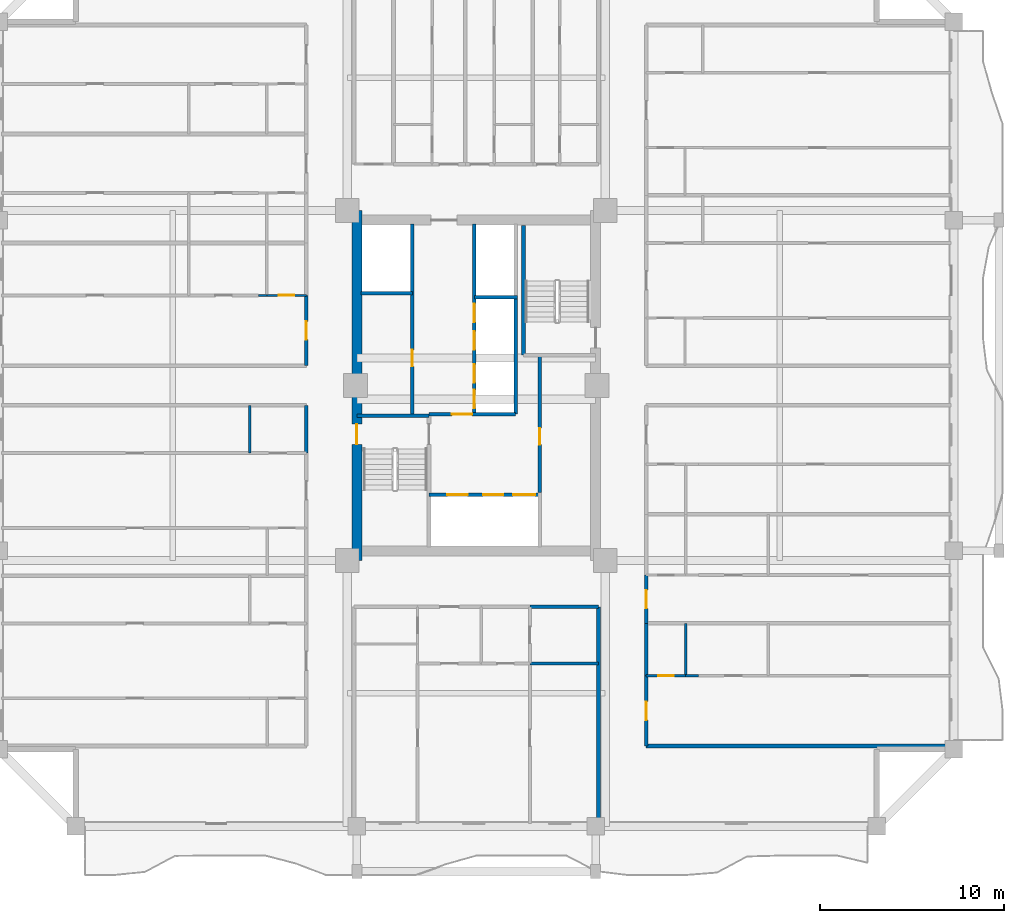
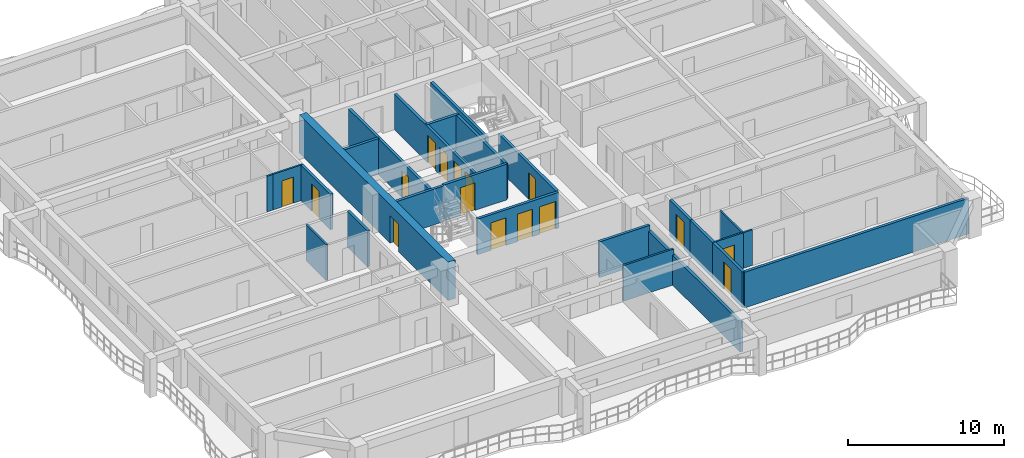
# One storey, part 4 of 14: 26 walls, 16 doors, 16 openings.
"""IFC4 building model written with IfcOpenShell, lengths in metres."""

from ifc_helpers import new_model, si_unit, direction, frame, frame_2d, origin, place, context, subcontext, project, spatial, rectangle, extrude, source, transform, mapped, material, layer, layer_set, type_object, element, fill, save


model = new_model("IFC4")

# Units and contexts
model_context = context("Model", 3, precision=1e-05, world=origin(), true_north=direction((0.0, 1.0)))
body_context = subcontext(model_context, "Body", "Model", "MODEL_VIEW")
ifc_project = project(units=[si_unit("LENGTHUNIT", "METRE"), si_unit("AREAUNIT", "SQUARE_METRE"), si_unit("VOLUMEUNIT", "CUBIC_METRE"), si_unit("PLANEANGLEUNIT", "RADIAN"), si_unit("MASSUNIT", "GRAM", prefix="KILO")], contexts=[model_context])

# Site, building, storey
site_placement = place(None, origin())
site = spatial("IfcSite", under=ifc_project, at=site_placement, CompositionType="ELEMENT")
building_placement = place(site_placement, origin())
building = spatial("IfcBuilding", under=site, at=building_placement, Name="Saelheon Loggia Tower", CompositionType="ELEMENT")
storey_placement = place(building_placement, frame((0.0, 0.0, 119.85009765625)))
storey = spatial("IfcBuildingStorey", under=building, at=storey_placement, Name="L38", CompositionType="ELEMENT", Elevation=119.85009765625)

# Wall, opening, door
ifc_material_1 = material(Name="Concrete C50/60", Category="concrete")
ifc_layer_1 = layer(ifc_material_1, 0.550048828125)
ifc_layer_set_1 = layer_set([ifc_layer_1], Name="Concrete C50/60")
wall_type_1 = type_object("IfcWallType", Name="Wall_CoreShear_550", PredefinedType="SHEAR", material=ifc_layer_set_1)
wall_1_placement = place(storey_placement, frame((31.5, 17.47998046875, 0.0), z_axis=(0.0, 0.0, 1.0), x_axis=(0.0, 1.0, 0.0)))
wall_1 = element("IfcWall", 1, at=wall_1_placement, inside=storey, type_object=wall_type_1, Name="L38 Core Shear Wall West", PredefinedType="SHEAR", context=body_context, shape_type="SweptSolid", body=[
    extrude(rectangle(XDim=19.0400390625, YDim=0.550048828125, at=frame_2d((9.52001953125, 0.0))), origin(), (0.0, 0.0, 1.0), 3.0),
])
opening_1_placement = place(wall_1_placement, frame((6.320068359375, 0.0, 0.0)))
opening_1 = element("IfcOpeningElement", 2, at=opening_1_placement, cuts=wall_1, Name="Opening D-FD2", PredefinedType="OPENING", context=body_context, shape_type="SweptSolid", body=[
    extrude(rectangle(XDim=1.10009765625, YDim=2.14990234375, at=frame_2d((0.550048828125, 1.074951171875))), frame((0.0, 0.287109375, 0.0), z_axis=(0.0, -1.0, 0.0), x_axis=(1.0, 0.0, 0.0)), (0.0, 0.0, 1.0), 0.573974609375),
])
ifc_material_2 = material(Name="Galvanised Steel Fire Door", Category="steel")
door_type_1 = type_object("IfcDoorType", Name="Door_Fire_FD60_1100", OperationType="NOTDEFINED", PredefinedType="DOOR", material=ifc_material_2)
shared_shape_1 = source(origin(), body_context, "Body", "SweptSolid", [
    extrude(rectangle(XDim=1.10009765625, YDim=2.14990234375, at=frame_2d((0.550048828125, 1.074951171875))), frame((0.0, 0.02490234375, 0.0), z_axis=(0.0, -1.0, 0.0), x_axis=(1.0, 0.0, 0.0)), (0.0, 0.0, 1.0), 0.050048828125),
])
door_1_placement = place(opening_1_placement, origin())
door_1 = element("IfcDoor", 3, at=door_1_placement, inside=storey, type_object=door_type_1, Name="L38 Stair ST1 Corridor Door", OperationType="SINGLE_SWING_LEFT", OverallHeight=2.14990234375, OverallWidth=1.10009765625, PredefinedType="DOOR", context=body_context, shape_type="MappedRepresentation", body=[
    mapped(shared_shape_1, transform((0.0, 0.0, 0.0), scale=1.0)),
])
fill(opening_1, door_1)

# Walls
ifc_material_3 = material(Name="Lightweight Autoclaved Aerated Concrete Block and Acoustic Gypsum", Category="concrete")
ifc_layer_2 = layer(ifc_material_3, 0.14990234375)
ifc_layer_set_2 = layer_set([ifc_layer_2], Name="Lightweight Autoclaved Aerated Concrete Block and Acoustic Gypsum")
wall_type_2 = type_object("IfcWallType", Name="Wall_Part_150", PredefinedType="PARTITIONING", material=ifc_layer_set_2)
wall_2_placement = place(storey_placement, frame((40.9228515625, 11.8701171875, 0.0), z_axis=(0.0, 0.0, 1.0), x_axis=(1.0, 0.0, 0.0)))
element("IfcWall", 4, at=wall_2_placement, inside=storey, type_object=wall_type_2, Name="L38 S Partition V11", PredefinedType="PARTITIONING", context=body_context, shape_type="SweptSolid", body=[
    extrude(rectangle(XDim=3.72705078125, YDim=0.14990234375, at=frame_2d((1.863525390625, 0.0))), origin(), (0.0, 0.0, 1.0), 2.789794921875),
])
wall_3_placement = place(storey_placement, frame((25.669921875, 23.320068359375, 0.0), z_axis=(0.0, 0.0, 1.0), x_axis=(0.0, 1.0, 0.0)))
element("IfcWall", 5, at=wall_3_placement, inside=storey, type_object=wall_type_2, Name="L38 WS Partition V18", PredefinedType="PARTITIONING", context=body_context, shape_type="SweptSolid", body=[
    extrude(rectangle(XDim=2.599853515625, YDim=0.14990234375, at=frame_2d((1.2998046875, 0.0))), origin(), (0.0, 0.0, 1.0), 2.789794921875),
])
ifc_material_4 = material(Name="Double Acoustic Stud and Fireboard Partition", Category="gypsum")
ifc_layer_3 = layer(ifc_material_4, 0.199951171875)
ifc_layer_set_3 = layer_set([ifc_layer_3], Name="Double Acoustic Stud and Fireboard Partition")
wall_type_3 = type_object("IfcWallType", Name="Wall_Party_200", PredefinedType="PARTITIONING", material=ifc_layer_set_3)
wall_4_placement = place(storey_placement, frame((44.64990234375, 14.949951171875, 0.0), z_axis=(0.0, 0.0, 1.0), x_axis=(0.0, -1.0, 0.0)))
element("IfcWall", 6, at=wall_4_placement, inside=storey, type_object=wall_type_3, Name="L38 S Partition U02", PredefinedType="PARTITIONING", context=body_context, shape_type="SweptSolid", body=[
    extrude(rectangle(XDim=11.800048828125, YDim=0.199951171875, at=frame_2d((5.89990234375, 0.0))), origin(), (0.0, 0.0, 1.0), 2.33984375),
])
wall_5_placement = place(storey_placement, frame((40.9228515625, 14.949951171875, 0.0), z_axis=(0.0, 0.0, 1.0), x_axis=(1.0, 0.0, 0.0)))
element("IfcWall", 7, at=wall_5_placement, inside=storey, type_object=wall_type_3, Name="L38 S Partition V09", PredefinedType="PARTITIONING", context=body_context, shape_type="SweptSolid", body=[
    extrude(rectangle(XDim=3.72705078125, YDim=0.199951171875, at=frame_2d((1.863525390625, 0.0))), origin(), (0.0, 0.0, 1.0), 2.789794921875),
])
wall_6_placement = place(storey_placement, frame((28.75, 23.320068359375, 0.0), z_axis=(0.0, 0.0, 1.0), x_axis=(0.0, 1.0, 0.0)))
element("IfcWall", 8, at=wall_6_placement, inside=storey, type_object=wall_type_3, Name="L38 WS Partition V16", PredefinedType="PARTITIONING", context=body_context, shape_type="SweptSolid", body=[
    extrude(rectangle(XDim=2.599853515625, YDim=0.199951171875, at=frame_2d((1.2998046875, 0.0))), origin(), (0.0, 0.0, 1.0), 2.789794921875),
])

# Wall, opening, door
wall_7_placement = place(storey_placement, frame((28.75, 28.080078125, 0.0), z_axis=(0.0, 0.0, 1.0), x_axis=(0.0, 1.0, 0.0)))
wall_7 = element("IfcWall", 9, at=wall_7_placement, inside=storey, type_object=wall_type_3, Name="L38 WN Partition V03", PredefinedType="PARTITIONING", context=body_context, shape_type="SweptSolid", body=[
    extrude(rectangle(XDim=3.82421875, YDim=0.199951171875, at=frame_2d((1.912109375, 0.0))), origin(), (0.0, 0.0, 1.0), 2.789794921875),
])
opening_2_placement = place(wall_7_placement, frame((1.412109375, 0.0, 0.0)))
opening_2 = element("IfcOpeningElement", 10, at=opening_2_placement, cuts=wall_7, Name="Opening D-FD1", PredefinedType="OPENING", context=body_context, shape_type="SweptSolid", body=[
    extrude(rectangle(XDim=1.0, YDim=2.14990234375, at=frame_2d((0.5, 1.074951171875))), frame((0.0, 0.112060546875, 0.0), z_axis=(0.0, -1.0, 0.0), x_axis=(1.0, 0.0, 0.0)), (0.0, 0.0, 1.0), 0.223876953125),
])
ifc_material_5 = material(Name="Fire-Rated Engineered Timber Entrance Door", Category="wood")
door_type_2 = type_object("IfcDoorType", Name="Door_Flat_FD30S", OperationType="NOTDEFINED", PredefinedType="DOOR", material=ifc_material_5)
shared_shape_2 = source(origin(), body_context, "Body", "SweptSolid", [
    extrude(rectangle(XDim=1.0, YDim=2.14990234375, at=frame_2d((0.5, 1.074951171875))), frame((0.0, 0.02490234375, 0.0), z_axis=(0.0, -1.0, 0.0), x_axis=(1.0, 0.0, 0.0)), (0.0, 0.0, 1.0), 0.050048828125),
])
door_2_placement = place(opening_2_placement, origin())
door_2 = element("IfcDoor", 11, at=door_2_placement, inside=storey, type_object=door_type_2, Name="Unit U07 Entrance Door", OperationType="SINGLE_SWING_LEFT", OverallHeight=2.14990234375, OverallWidth=1.0, PredefinedType="DOOR", context=body_context, shape_type="MappedRepresentation", body=[
    mapped(shared_shape_2, transform((0.0, 0.0, 0.0), scale=1.0)),
])
fill(opening_2, door_2)

# Wall
wall_8_placement = place(storey_placement, frame((47.25, 7.3798828125, 0.0), z_axis=(0.0, 0.0, 1.0), x_axis=(1.0, 0.0, 0.0)))
element("IfcWall", 12, at=wall_8_placement, inside=storey, type_object=wall_type_3, Name="L38 ES Partition U01", PredefinedType="PARTITIONING", context=body_context, shape_type="SweptSolid", body=[
    extrude(rectangle(XDim=16.60009765625, YDim=0.199951171875, at=frame_2d((8.300048828125, 0.0))), origin(), (0.0, 0.0, 1.0), 2.789794921875),
])

# Wall, opening, door
wall_9_placement = place(storey_placement, frame((47.25, 7.3798828125, 0.0), z_axis=(0.0, 0.0, 1.0), x_axis=(0.0, 1.0, 0.0)))
wall_9 = element("IfcWall", 13, at=wall_9_placement, inside=storey, type_object=wall_type_3, Name="L38 ES Partition V03", PredefinedType="PARTITIONING", context=body_context, shape_type="SweptSolid", body=[
    extrude(rectangle(XDim=3.824462890625, YDim=0.199951171875, at=frame_2d((1.912109375, 0.0))), origin(), (0.0, 0.0, 1.0), 2.789794921875),
])
opening_3_placement = place(wall_9_placement, frame((1.412109375, 0.0, 0.0)))
opening_3 = element("IfcOpeningElement", 14, at=opening_3_placement, cuts=wall_9, Name="Opening D-FD1", PredefinedType="OPENING", context=body_context, shape_type="SweptSolid", body=[
    extrude(rectangle(XDim=1.0, YDim=2.14990234375, at=frame_2d((0.5, 1.074951171875))), frame((0.0, 0.112060546875, 0.0), z_axis=(0.0, -1.0, 0.0), x_axis=(1.0, 0.0, 0.0)), (0.0, 0.0, 1.0), 0.223876953125),
])
door_3_placement = place(opening_3_placement, origin())
door_3 = element("IfcDoor", 15, at=door_3_placement, inside=storey, type_object=door_type_2, Name="Unit U10 Entrance Door", OperationType="SINGLE_SWING_LEFT", OverallHeight=2.14990234375, OverallWidth=1.0, PredefinedType="DOOR", context=body_context, shape_type="MappedRepresentation", body=[
    mapped(shared_shape_2, transform((0.0, 0.0, 0.0), scale=1.0)),
])
fill(opening_3, door_3)

# Wall
wall_10_placement = place(storey_placement, frame((47.25, 11.204345703125, 0.0), z_axis=(0.0, 0.0, 1.0), x_axis=(0.0, 1.0, 0.0)))
element("IfcWall", 16, at=wall_10_placement, inside=storey, type_object=wall_type_3, Name="L38 ES Partition V04", PredefinedType="PARTITIONING", context=body_context, shape_type="SweptSolid", body=[
    extrude(rectangle(XDim=2.85009765625, YDim=0.199951171875, at=frame_2d((1.425048828125, 0.0))), origin(), (0.0, 0.0, 1.0), 2.789794921875),
])

# Wall, opening, door
wall_11_placement = place(storey_placement, frame((47.25, 14.054443359375, 0.0), z_axis=(0.0, 0.0, 1.0), x_axis=(0.0, 1.0, 0.0)))
wall_11 = element("IfcWall", 17, at=wall_11_placement, inside=storey, type_object=wall_type_3, Name="L38 ES Partition V12", PredefinedType="PARTITIONING", context=body_context, shape_type="SweptSolid", body=[
    extrude(rectangle(XDim=2.62548828125, YDim=0.199951171875, at=frame_2d((1.312744140625, 0.0))), origin(), (0.0, 0.0, 1.0), 2.789794921875),
])
opening_4_placement = place(wall_11_placement, frame((0.812744140625, 0.0, 0.0)))
opening_4 = element("IfcOpeningElement", 18, at=opening_4_placement, cuts=wall_11, Name="Opening D-FD1", PredefinedType="OPENING", context=body_context, shape_type="SweptSolid", body=[
    extrude(rectangle(XDim=1.0, YDim=2.14990234375, at=frame_2d((0.5, 1.074951171875))), frame((0.0, 0.112060546875, 0.0), z_axis=(0.0, -1.0, 0.0), x_axis=(1.0, 0.0, 0.0)), (0.0, 0.0, 1.0), 0.223876953125),
])
door_4_placement = place(opening_4_placement, origin())
door_4 = element("IfcDoor", 19, at=door_4_placement, inside=storey, type_object=door_type_2, Name="Unit U11 Entrance Door", OperationType="SINGLE_SWING_LEFT", OverallHeight=2.14990234375, OverallWidth=1.0, PredefinedType="DOOR", context=body_context, shape_type="MappedRepresentation", body=[
    mapped(shared_shape_2, transform((0.0, 0.0, 0.0), scale=1.0)),
])
fill(opening_4, door_4)

ifc_material_6 = material(Name="Concrete C40/50", Category="concrete")
ifc_layer_4 = layer(ifc_material_6, 0.199951171875)
ifc_layer_set_4 = layer_set([ifc_layer_4], Name="Concrete C40/50")
wall_type_4 = type_object("IfcWallType", Name="Wall_Shaft_200", PredefinedType="PARTITIONING", material=ifc_layer_set_4)
wall_12_placement = place(storey_placement, frame((41.449951171875, 21.179931640625, 0.0), z_axis=(0.0, 0.0, 1.0), x_axis=(0.0, 1.0, 0.0)))
wall_12 = element("IfcWall", 20, at=wall_12_placement, inside=storey, type_object=wall_type_4, Name="CW-INT-L38-BOH-W1", PredefinedType="PARTITIONING", context=body_context, shape_type="SweptSolid", body=[
    extrude(rectangle(XDim=7.420166015625, YDim=0.199951171875, at=frame_2d((3.7099609375, 0.0))), origin(), (0.0, 0.0, 1.0), 2.789794921875),
])
opening_5_placement = place(wall_12_placement, frame((2.60009765625, 0.0, 0.0)))
opening_5 = element("IfcOpeningElement", 21, at=opening_5_placement, cuts=wall_12, Name="Opening D-RS1", PredefinedType="OPENING", context=body_context, shape_type="SweptSolid", body=[
    extrude(rectangle(XDim=0.89990234375, YDim=2.10009765625, at=frame_2d((0.449951171875, 1.050048828125))), frame((0.0, 0.112060546875, 0.0), z_axis=(0.0, -1.0, 0.0), x_axis=(1.0, 0.0, 0.0)), (0.0, 0.0, 1.0), 0.223876953125),
])
ifc_material_7 = material(Name="Galvanised Steel Riser Access Door", Category="steel")
door_type_3 = type_object("IfcDoorType", Name="Door_Riser_FD60", OperationType="NOTDEFINED", PredefinedType="DOOR", material=ifc_material_7)
shared_shape_3 = source(origin(), body_context, "Body", "SweptSolid", [
    extrude(rectangle(XDim=0.89990234375, YDim=2.10009765625, at=frame_2d((0.449951171875, 1.050048828125))), frame((0.0, 0.02490234375, 0.0), z_axis=(0.0, -1.0, 0.0), x_axis=(1.0, 0.0, 0.0)), (0.0, 0.0, 1.0), 0.050048828125),
])
door_5_placement = place(opening_5_placement, origin())
door_5 = element("IfcDoor", 22, at=door_5_placement, inside=storey, type_object=door_type_3, Name="L38 Core Service Store Door", OperationType="SINGLE_SWING_RIGHT", OverallHeight=2.10009765625, OverallWidth=0.89990234375, PredefinedType="DOOR", context=body_context, shape_type="MappedRepresentation", body=[
    mapped(shared_shape_3, transform((0.0, 0.0, 0.0), scale=1.0)),
])
fill(opening_5, door_5)

# Wall
wall_13_placement = place(storey_placement, frame((40.14990234375, 25.43994140625, 0.0), z_axis=(0.0, 0.0, 1.0), x_axis=(0.0, 1.0, 0.0)))
element("IfcWall", 23, at=wall_13_placement, inside=storey, type_object=wall_type_4, Name="L38 Core Service Passage West Wall", PredefinedType="PARTITIONING", context=body_context, shape_type="SweptSolid", body=[
    extrude(rectangle(XDim=6.360107421875, YDim=0.199951171875, at=frame_2d((3.18017578125, 0.0))), origin(), (0.0, 0.0, 1.0), 2.789794921875),
])

# Wall, openings, doors
wall_14_placement = place(storey_placement, frame((35.429931640625, 21.06005859375, 0.0), z_axis=(0.0, 0.0, 1.0), x_axis=(1.0, 0.0, 0.0)))
wall_14 = element("IfcWall", 24, at=wall_14_placement, inside=storey, type_object=wall_type_4, Name="L38 Firefighting Lift Shaft Front Wall", PredefinedType="PARTITIONING", context=body_context, shape_type="SweptSolid", body=[
    extrude(rectangle(XDim=6.02001953125, YDim=0.199951171875, at=frame_2d((3.010009765625, 0.0))), origin(), (0.0, 0.0, 1.0), 2.789794921875),
])
opening_6_placement = place(wall_14_placement, frame((1.0, 0.0, 0.0)))
opening_6 = element("IfcOpeningElement", 25, at=opening_6_placement, cuts=wall_14, Name="Opening LD2", PredefinedType="OPENING", context=body_context, shape_type="SweptSolid", body=[
    extrude(rectangle(XDim=1.10009765625, YDim=2.14990234375, at=frame_2d((0.550048828125, 1.074951171875))), frame((0.0, 0.112060546875, 0.0), z_axis=(0.0, -1.0, 0.0), x_axis=(1.0, 0.0, 0.0)), (0.0, 0.0, 1.0), 0.223876953125),
])
opening_7_placement = place(wall_14_placement, frame((2.949951171875, 0.0, 0.0)))
opening_7 = element("IfcOpeningElement", 26, at=opening_7_placement, cuts=wall_14, Name="Opening LD2", PredefinedType="OPENING", context=body_context, shape_type="SweptSolid", body=[
    extrude(rectangle(XDim=1.10009765625, YDim=2.14990234375, at=frame_2d((0.550048828125, 1.074951171875))), frame((0.0, 0.112060546875, 0.0), z_axis=(0.0, -1.0, 0.0), x_axis=(1.0, 0.0, 0.0)), (0.0, 0.0, 1.0), 0.223876953125),
])
opening_8_placement = place(wall_14_placement, frame((4.580078125, 0.0, 0.0)))
opening_8 = element("IfcOpeningElement", 27, at=opening_8_placement, cuts=wall_14, Name="Opening LD3", PredefinedType="OPENING", context=body_context, shape_type="SweptSolid", body=[
    extrude(rectangle(XDim=1.199951171875, YDim=2.14990234375, at=frame_2d((0.60009765625, 1.074951171875))), frame((0.0, 0.112060546875, 0.0), z_axis=(0.0, -1.0, 0.0), x_axis=(1.0, 0.0, 0.0)), (0.0, 0.0, 1.0), 0.223876953125),
])
ifc_material_8 = material(Name="Firefighting Stainless Steel 316 Landing Door", Category="steel")
door_type_4 = type_object("IfcDoorType", Name="Door_Lift_LD2", OperationType="DOUBLE_DOOR_SLIDING", PredefinedType="DOOR", material=ifc_material_8)
door_6_placement = place(opening_6_placement, origin())
door_6 = element("IfcDoor", 28, at=door_6_placement, inside=storey, type_object=door_type_4, Name="L38 FF1 Landing Door", OperationType="DOUBLE_DOOR_SLIDING", OverallHeight=2.14990234375, OverallWidth=1.10009765625, PredefinedType="DOOR", context=body_context, shape_type="MappedRepresentation", body=[
    mapped(shared_shape_1, transform((0.0, 0.0, 0.0), scale=1.0)),
])
fill(opening_6, door_6)
door_7_placement = place(opening_7_placement, origin())
door_7 = element("IfcDoor", 29, at=door_7_placement, inside=storey, type_object=door_type_4, Name="L38 FF2 Landing Door", OperationType="DOUBLE_DOOR_SLIDING", OverallHeight=2.14990234375, OverallWidth=1.10009765625, PredefinedType="DOOR", context=body_context, shape_type="MappedRepresentation", body=[
    mapped(shared_shape_1, transform((0.0, 0.0, 0.0), scale=1.0)),
])
fill(opening_7, door_7)
ifc_material_9 = material(Name="Stretcher Lift Stainless Steel 304 Landing Door", Category="steel")
door_type_5 = type_object("IfcDoorType", Name="Door_Lift_LD3", OperationType="DOUBLE_DOOR_SLIDING", PredefinedType="DOOR", material=ifc_material_9)
shared_shape_4 = source(origin(), body_context, "Body", "SweptSolid", [
    extrude(rectangle(XDim=1.199951171875, YDim=2.14990234375, at=frame_2d((0.60009765625, 1.074951171875))), frame((0.0, 0.02490234375, 0.0), z_axis=(0.0, -1.0, 0.0), x_axis=(1.0, 0.0, 0.0)), (0.0, 0.0, 1.0), 0.050048828125),
])
door_8_placement = place(opening_8_placement, origin())
door_8 = element("IfcDoor", 30, at=door_8_placement, inside=storey, type_object=door_type_5, Name="L38 SV1 Landing Door", OperationType="DOUBLE_DOOR_SLIDING", OverallHeight=2.14990234375, OverallWidth=1.199951171875, PredefinedType="DOOR", context=body_context, shape_type="MappedRepresentation", body=[
    mapped(shared_shape_4, transform((0.0, 0.0, 0.0), scale=1.0)),
])
fill(opening_8, door_8)

# Wall, opening, door
wall_15_placement = place(storey_placement, frame((35.429931640625, 25.43994140625, 0.0), z_axis=(0.0, 0.0, 1.0), x_axis=(1.0, 0.0, 0.0)))
wall_15 = element("IfcWall", 31, at=wall_15_placement, inside=storey, type_object=wall_type_4, Name="L38 Firefighting Lobby Compartment Wall", PredefinedType="PARTITIONING", context=body_context, shape_type="SweptSolid", body=[
    extrude(rectangle(XDim=4.719970703125, YDim=0.199951171875, at=frame_2d((2.35986328125, 0.0))), origin(), (0.0, 0.0, 1.0), 2.789794921875),
])
opening_9_placement = place(wall_15_placement, frame((1.25, 0.0, 0.0)))
opening_9 = element("IfcOpeningElement", 32, at=opening_9_placement, cuts=wall_15, Name="Opening D-FD2", PredefinedType="OPENING", context=body_context, shape_type="SweptSolid", body=[
    extrude(rectangle(XDim=1.10009765625, YDim=2.14990234375, at=frame_2d((0.550048828125, 1.074951171875))), frame((0.0, 0.112060546875, 0.0), z_axis=(0.0, -1.0, 0.0), x_axis=(1.0, 0.0, 0.0)), (0.0, 0.0, 1.0), 0.223876953125),
])
door_9_placement = place(opening_9_placement, origin())
door_9 = element("IfcDoor", 33, at=door_9_placement, inside=storey, type_object=door_type_1, Name="L38 Firefighting Lobby Door", OperationType="SINGLE_SWING_LEFT", OverallHeight=2.14990234375, OverallWidth=1.10009765625, PredefinedType="DOOR", context=body_context, shape_type="MappedRepresentation", body=[
    mapped(shared_shape_1, transform((0.0, 0.0, 0.0), scale=1.0)),
])
fill(opening_9, door_9)

wall_16_placement = place(storey_placement, frame((34.52001953125, 25.43994140625, 0.0), z_axis=(0.0, 0.0, 1.0), x_axis=(0.0, 1.0, 0.0)))
wall_16 = element("IfcWall", 34, at=wall_16_placement, inside=storey, type_object=wall_type_4, Name="L38 West Passenger Lift Bank Wall", PredefinedType="PARTITIONING", context=body_context, shape_type="SweptSolid", body=[
    extrude(rectangle(XDim=10.340087890625, YDim=0.199951171875, at=frame_2d((5.169921875, 0.0))), origin(), (0.0, 0.0, 1.0), 2.789794921875),
])
opening_10_placement = place(wall_16_placement, frame((2.60009765625, 0.0, 0.0)))
opening_10 = element("IfcOpeningElement", 35, at=opening_10_placement, cuts=wall_16, Name="Opening D-RS1", PredefinedType="OPENING", context=body_context, shape_type="SweptSolid", body=[
    extrude(rectangle(XDim=0.89990234375, YDim=2.10009765625, at=frame_2d((0.449951171875, 1.050048828125))), frame((0.0, 0.112060546875, 0.0), z_axis=(0.0, -1.0, 0.0), x_axis=(1.0, 0.0, 0.0)), (0.0, 0.0, 1.0), 0.223876953125),
])
door_10_placement = place(opening_10_placement, origin())
door_10 = element("IfcDoor", 36, at=door_10_placement, inside=storey, type_object=door_type_3, Name="L38 Core Parcel Room Door", OperationType="SINGLE_SWING_LEFT", OverallHeight=2.10009765625, OverallWidth=0.89990234375, PredefinedType="DOOR", context=body_context, shape_type="MappedRepresentation", body=[
    mapped(shared_shape_3, transform((0.0, 0.0, 0.0), scale=1.0)),
])
fill(opening_10, door_10)

# Wall
wall_17_placement = place(storey_placement, frame((31.719970703125, 32.02001953125, 0.0), z_axis=(0.0, 0.0, 1.0), x_axis=(1.0, 0.0, 0.0)))
element("IfcWall", 37, at=wall_17_placement, inside=storey, type_object=wall_type_4, Name="L38 West High-Rise Shaft Divider", PredefinedType="PARTITIONING", context=body_context, shape_type="SweptSolid", body=[
    extrude(rectangle(XDim=2.800048828125, YDim=0.199951171875, at=frame_2d((1.39990234375, 0.0))), origin(), (0.0, 0.0, 1.0), 2.789794921875),
])

# Wall, openings, doors
wall_18_placement = place(storey_placement, frame((37.89990234375, 25.43994140625, 0.0), z_axis=(0.0, 0.0, 1.0), x_axis=(0.0, 1.0, 0.0)))
wall_18 = element("IfcWall", 38, at=wall_18_placement, inside=storey, type_object=wall_type_4, Name="L38 East Passenger Lift Bank Wall", PredefinedType="PARTITIONING", context=body_context, shape_type="SweptSolid", body=[
    extrude(rectangle(XDim=10.340087890625, YDim=0.199951171875, at=frame_2d((5.169921875, 0.0))), origin(), (0.0, 0.0, 1.0), 2.789794921875),
])
opening_11_placement = place(wall_18_placement, frame((0.320068359375, 0.0, 0.0)))
opening_11 = element("IfcOpeningElement", 39, at=opening_11_placement, cuts=wall_18, Name="Opening LD1", PredefinedType="OPENING", context=body_context, shape_type="SweptSolid", body=[
    extrude(rectangle(XDim=1.0, YDim=2.14990234375, at=frame_2d((0.5, 1.074951171875))), frame((0.0, 0.112060546875, 0.0), z_axis=(0.0, -1.0, 0.0), x_axis=(1.0, 0.0, 0.0)), (0.0, 0.0, 1.0), 0.223876953125),
])
opening_12_placement = place(wall_18_placement, frame((1.7099609375, 0.0, 0.0)))
opening_12 = element("IfcOpeningElement", 40, at=opening_12_placement, cuts=wall_18, Name="Opening LD1", PredefinedType="OPENING", context=body_context, shape_type="SweptSolid", body=[
    extrude(rectangle(XDim=1.0, YDim=2.14990234375, at=frame_2d((0.5, 1.074951171875))), frame((0.0, 0.112060546875, 0.0), z_axis=(0.0, -1.0, 0.0), x_axis=(1.0, 0.0, 0.0)), (0.0, 0.0, 1.0), 0.223876953125),
])
opening_13_placement = place(wall_18_placement, frame((3.510009765625, 0.0, 0.0)))
opening_13 = element("IfcOpeningElement", 41, at=opening_13_placement, cuts=wall_18, Name="Opening LD1", PredefinedType="OPENING", context=body_context, shape_type="SweptSolid", body=[
    extrude(rectangle(XDim=1.0, YDim=2.14990234375, at=frame_2d((0.5, 1.074951171875))), frame((0.0, 0.112060546875, 0.0), z_axis=(0.0, -1.0, 0.0), x_axis=(1.0, 0.0, 0.0)), (0.0, 0.0, 1.0), 0.223876953125),
])
opening_14_placement = place(wall_18_placement, frame((5.010009765625, 0.0, 0.0)))
opening_14 = element("IfcOpeningElement", 42, at=opening_14_placement, cuts=wall_18, Name="Opening LD1", PredefinedType="OPENING", context=body_context, shape_type="SweptSolid", body=[
    extrude(rectangle(XDim=1.0, YDim=2.14990234375, at=frame_2d((0.5, 1.074951171875))), frame((0.0, 0.112060546875, 0.0), z_axis=(0.0, -1.0, 0.0), x_axis=(1.0, 0.0, 0.0)), (0.0, 0.0, 1.0), 0.223876953125),
])
ifc_material_10 = material(Name="Brushed Stainless Steel 304 Landing Door", Category="steel")
door_type_6 = type_object("IfcDoorType", Name="Door_Lift_LD1", OperationType="DOUBLE_DOOR_SLIDING", PredefinedType="DOOR", material=ifc_material_10)
door_11_placement = place(opening_11_placement, origin())
door_11 = element("IfcDoor", 43, at=door_11_placement, inside=storey, type_object=door_type_6, Name="L38 PM1 Landing Door", OperationType="DOUBLE_DOOR_SLIDING", OverallHeight=2.14990234375, OverallWidth=1.0, PredefinedType="DOOR", context=body_context, shape_type="MappedRepresentation", body=[
    mapped(shared_shape_2, transform((0.0, 0.0, 0.0), scale=1.0)),
])
fill(opening_11, door_11)
door_12_placement = place(opening_12_placement, origin())
door_12 = element("IfcDoor", 44, at=door_12_placement, inside=storey, type_object=door_type_6, Name="L38 PM2 Landing Door", OperationType="DOUBLE_DOOR_SLIDING", OverallHeight=2.14990234375, OverallWidth=1.0, PredefinedType="DOOR", context=body_context, shape_type="MappedRepresentation", body=[
    mapped(shared_shape_2, transform((0.0, 0.0, 0.0), scale=1.0)),
])
fill(opening_12, door_12)
door_13_placement = place(opening_13_placement, origin())
door_13 = element("IfcDoor", 45, at=door_13_placement, inside=storey, type_object=door_type_6, Name="L38 PM3 Landing Door", OperationType="DOUBLE_DOOR_SLIDING", OverallHeight=2.14990234375, OverallWidth=1.0, PredefinedType="DOOR", context=body_context, shape_type="MappedRepresentation", body=[
    mapped(shared_shape_2, transform((0.0, 0.0, 0.0), scale=1.0)),
])
fill(opening_13, door_13)
door_14_placement = place(opening_14_placement, origin())
door_14 = element("IfcDoor", 46, at=door_14_placement, inside=storey, type_object=door_type_6, Name="L38 PM4 Landing Door", OperationType="DOUBLE_DOOR_SLIDING", OverallHeight=2.14990234375, OverallWidth=1.0, PredefinedType="DOOR", context=body_context, shape_type="MappedRepresentation", body=[
    mapped(shared_shape_2, transform((0.0, 0.0, 0.0), scale=1.0)),
])
fill(opening_14, door_14)

# Walls
wall_19_placement = place(storey_placement, frame((37.89990234375, 31.800048828125, 0.0), z_axis=(0.0, 0.0, 1.0), x_axis=(1.0, 0.0, 0.0)))
element("IfcWall", 47, at=wall_19_placement, inside=storey, type_object=wall_type_4, Name="L38 East High-Rise Shaft Divider", PredefinedType="PARTITIONING", context=body_context, shape_type="SweptSolid", body=[
    extrude(rectangle(XDim=2.35009765625, YDim=0.199951171875, at=frame_2d((1.175048828125, 0.0))), origin(), (0.0, 0.0, 1.0), 2.789794921875),
])
ifc_material_11 = material(Name="Concrete C45/55", Category="concrete")
ifc_layer_5 = layer(ifc_material_11, 0.199951171875)
ifc_layer_set_5 = layer_set([ifc_layer_5], Name="Concrete C45/55")
wall_type_5 = type_object("IfcWallType", Name="Wall_StairShaft_RC200", PredefinedType="SOLIDWALL", material=ifc_layer_set_5)
wall_20_placement = place(storey_placement, frame((31.5, 25.35009765625, 0.0), z_axis=(0.0, 0.0, 1.0), x_axis=(1.0, 0.0, 0.0)))
element("IfcWall", 48, at=wall_20_placement, inside=storey, type_object=wall_type_5, Name="L38 Stair ST1 North Wall", PredefinedType="SOLIDWALL", context=body_context, shape_type="SweptSolid", body=[
    extrude(rectangle(XDim=3.929931640625, YDim=0.199951171875, at=frame_2d((1.96484375, 0.0))), origin(), (0.0, 0.0, 1.0), 2.789794921875),
])
wall_21_placement = place(storey_placement, frame((40.570068359375, 28.64990234375, 0.0), z_axis=(0.0, 0.0, 1.0), x_axis=(0.0, 1.0, 0.0)))
element("IfcWall", 49, at=wall_21_placement, inside=storey, type_object=wall_type_5, Name="L38 Stair ST2 Shaft Wall", PredefinedType="SOLIDWALL", context=body_context, shape_type="SweptSolid", body=[
    extrude(rectangle(XDim=7.050048828125, YDim=0.199951171875, at=frame_2d((3.52490234375, 0.0))), origin(), (0.0, 0.0, 1.0), 2.789794921875),
])

# Wall, opening, door
ifc_material_12 = material(Name="Moisture-Resistant Cement Board Partition", Category="gypsum")
ifc_layer_6 = layer(ifc_material_12, 0.1201171875)
ifc_layer_set_6 = layer_set([ifc_layer_6], Name="Moisture-Resistant Cement Board Partition")
wall_type_6 = type_object("IfcWallType", Name="Wall_WetPart_120", PredefinedType="PARTITIONING", material=ifc_layer_set_6)
wall_22_placement = place(storey_placement, frame((28.75, 31.904296875, 0.0), z_axis=(0.0, 0.0, 1.0), x_axis=(-1.0, 0.0, 0.0)))
wall_22 = element("IfcWall", 50, at=wall_22_placement, inside=storey, type_object=wall_type_6, Name="L38 WN Partition U05", PredefinedType="PARTITIONING", context=body_context, shape_type="SweptSolid", body=[
    extrude(rectangle(XDim=2.14990234375, YDim=0.1201171875, at=frame_2d((1.074951171875, 0.0))), origin(), (0.0, 0.0, 1.0), 2.789794921875),
])
opening_15_placement = place(wall_22_placement, frame((0.64990234375, 0.0, 0.0)))
opening_15 = element("IfcOpeningElement", 51, at=opening_15_placement, cuts=wall_22, Name="Opening D-BT1", PredefinedType="OPENING", context=body_context, shape_type="SweptSolid", body=[
    extrude(rectangle(XDim=0.85009765625, YDim=2.050048828125, at=frame_2d((0.425048828125, 1.02490234375))), frame((0.0, 0.072021484375, 0.0), z_axis=(0.0, -1.0, 0.0), x_axis=(1.0, 0.0, 0.0)), (0.0, 0.0, 1.0), 0.14404296875),
])
ifc_material_13 = material(Name="Moisture-Resistant Laminate Timber Door", Category="wood")
door_type_7 = type_object("IfcDoorType", Name="Door_Bath_850", OperationType="NOTDEFINED", PredefinedType="DOOR", material=ifc_material_13)
shared_shape_5 = source(origin(), body_context, "Body", "SweptSolid", [
    extrude(rectangle(XDim=0.85009765625, YDim=2.050048828125, at=frame_2d((0.425048828125, 1.02490234375))), frame((0.0, 0.02490234375, 0.0), z_axis=(0.0, -1.0, 0.0), x_axis=(1.0, 0.0, 0.0)), (0.0, 0.0, 1.0), 0.050048828125),
])
door_15_placement = place(opening_15_placement, origin())
door_15 = element("IfcDoor", 52, at=door_15_placement, inside=storey, type_object=door_type_7, Name="Unit U07 Bathroom Door", OperationType="SINGLE_SWING_RIGHT", OverallHeight=2.050048828125, OverallWidth=0.85009765625, PredefinedType="DOOR", context=body_context, shape_type="MappedRepresentation", body=[
    mapped(shared_shape_5, transform((0.0, 0.0, 0.0), scale=1.0)),
])
fill(opening_15, door_15)

# Wall
wall_23_placement = place(storey_placement, frame((26.60009765625, 31.904296875, 0.0), z_axis=(0.0, 0.0, 1.0), x_axis=(-1.0, 0.0, 0.0)))
element("IfcWall", 53, at=wall_23_placement, inside=storey, type_object=wall_type_6, Name="L38 WN Partition U06", PredefinedType="PARTITIONING", context=body_context, shape_type="SweptSolid", body=[
    extrude(rectangle(XDim=0.4501953125, YDim=0.1201171875, at=frame_2d((0.22509765625, 0.0))), origin(), (0.0, 0.0, 1.0), 2.789794921875),
])

# Wall, opening, door
wall_24_placement = place(storey_placement, frame((47.25, 11.204345703125, 0.0), z_axis=(0.0, 0.0, 1.0), x_axis=(1.0, 0.0, 0.0)))
wall_24 = element("IfcWall", 54, at=wall_24_placement, inside=storey, type_object=wall_type_6, Name="L38 ES Partition U05", PredefinedType="PARTITIONING", context=body_context, shape_type="SweptSolid", body=[
    extrude(rectangle(XDim=2.14990234375, YDim=0.1201171875, at=frame_2d((1.074951171875, 0.0))), origin(), (0.0, 0.0, 1.0), 2.789794921875),
])
opening_16_placement = place(wall_24_placement, frame((0.64990234375, 0.0, 0.0)))
opening_16 = element("IfcOpeningElement", 55, at=opening_16_placement, cuts=wall_24, Name="Opening D-BT1", PredefinedType="OPENING", context=body_context, shape_type="SweptSolid", body=[
    extrude(rectangle(XDim=0.85009765625, YDim=2.050048828125, at=frame_2d((0.425048828125, 1.02490234375))), frame((0.0, 0.072021484375, 0.0), z_axis=(0.0, -1.0, 0.0), x_axis=(1.0, 0.0, 0.0)), (0.0, 0.0, 1.0), 0.14404296875),
])
door_16_placement = place(opening_16_placement, origin())
door_16 = element("IfcDoor", 56, at=door_16_placement, inside=storey, type_object=door_type_7, Name="Unit U10 Bathroom Door", OperationType="SINGLE_SWING_RIGHT", OverallHeight=2.050048828125, OverallWidth=0.85009765625, PredefinedType="DOOR", context=body_context, shape_type="MappedRepresentation", body=[
    mapped(shared_shape_5, transform((0.0, 0.0, 0.0), scale=1.0)),
])
fill(opening_16, door_16)

# Walls
wall_25_placement = place(storey_placement, frame((49.39990234375, 11.204345703125, 0.0), z_axis=(0.0, 0.0, 1.0), x_axis=(1.0, 0.0, 0.0)))
element("IfcWall", 57, at=wall_25_placement, inside=storey, type_object=wall_type_6, Name="L38 ES Partition U06", PredefinedType="PARTITIONING", context=body_context, shape_type="SweptSolid", body=[
    extrude(rectangle(XDim=0.690185546875, YDim=0.1201171875, at=frame_2d((0.34521484375, 0.0))), origin(), (0.0, 0.0, 1.0), 2.789794921875),
])
wall_26_placement = place(storey_placement, frame((49.39990234375, 11.204345703125, 0.0), z_axis=(0.0, 0.0, 1.0), x_axis=(0.0, 1.0, 0.0)))
element("IfcWall", 58, at=wall_26_placement, inside=storey, type_object=wall_type_6, Name="L38 ES Partition V07", PredefinedType="PARTITIONING", context=body_context, shape_type="SweptSolid", body=[
    extrude(rectangle(XDim=2.85009765625, YDim=0.1201171875, at=frame_2d((1.425048828125, 0.0))), origin(), (0.0, 0.0, 1.0), 2.789794921875),
])

save(model, "model.ifc")
